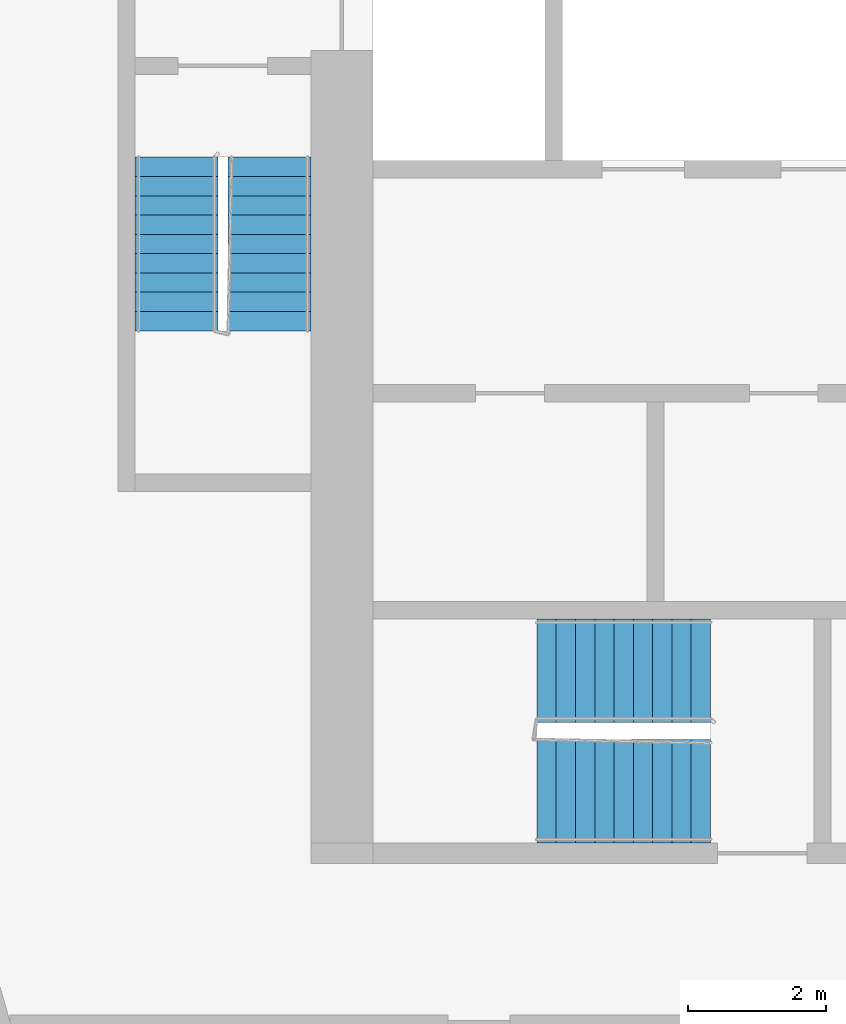
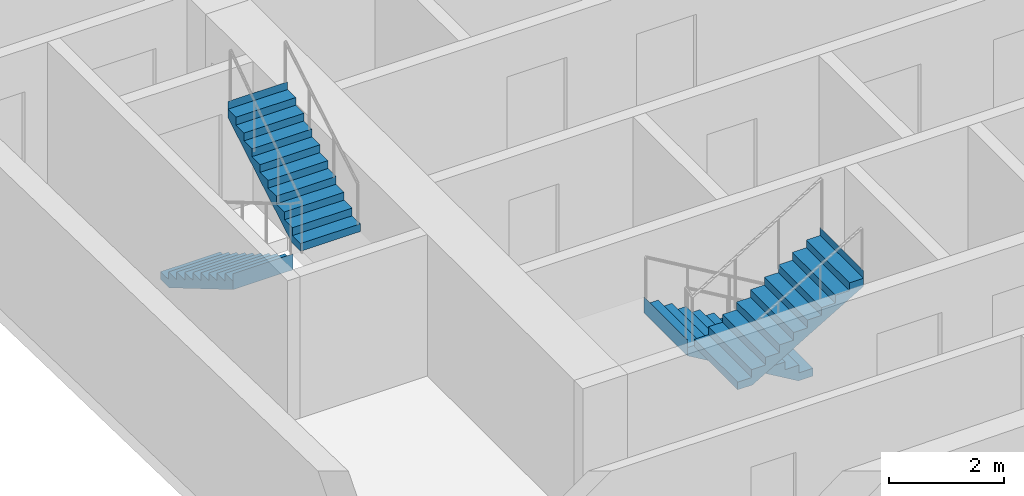
# One storey, part 8 of 11: 4 stair flights, 2 elements without a shape of their own.
"""IFC4 building model written with IfcOpenShell, lengths in metres."""

from ifc_helpers import new_model, si_unit, direction, frame, origin, place, context, subcontext, project, spatial, faceted_brep, material, type_object, element, aggregate, save


model = new_model("IFC4")

# Units and contexts
model_context = context("Model", 3, precision=1e-05, world=origin(), true_north=direction((0.0, 1.0)))
body_context = subcontext(model_context, "Body", "Model", "MODEL_VIEW")
ifc_project = project(units=[si_unit("LENGTHUNIT", "METRE"), si_unit("AREAUNIT", "SQUARE_METRE"), si_unit("VOLUMEUNIT", "CUBIC_METRE"), si_unit("PLANEANGLEUNIT", "RADIAN"), si_unit("MASSUNIT", "GRAM", prefix="KILO")], contexts=[model_context])

# Site, building, storey
site_placement = place(None, origin())
site = spatial("IfcSite", under=ifc_project, at=site_placement, CompositionType="ELEMENT")
building_placement = place(site_placement, origin())
building = spatial("IfcBuilding", under=site, at=building_placement, Name="Kajstack Hotel Tower", CompositionType="ELEMENT")
storey_placement = place(building_placement, frame((0.0, 0.0, 254.0)))
storey = spatial("IfcBuildingStorey", under=building, at=storey_placement, Name="L63", CompositionType="ELEMENT", Elevation=254.0)

# Stair, stair flights
ifc_material = material(Name="Concrete C40/50", Category="concrete")
stair_type_1 = type_object("IfcStairType", Name="Exit stair 1200", PredefinedType="HALF_TURN_STAIR", material=ifc_material)
stair_1_placement = place(storey_placement, origin())
stair_1 = element("IfcStair", 1, at=stair_1_placement, inside=storey, type_object=stair_type_1, Name="L63 stair W1", PredefinedType="HALF_TURN_STAIR")
stair_flight_type_1 = type_object("IfcStairFlightType", Name="Exit stair flight 1200", PredefinedType="STRAIGHT", material=ifc_material)
stair_flight_1_placement = place(storey_placement, frame((-33.449951171875, -5.25, 0.0), z_axis=(0.0, 0.0, 1.0), x_axis=(0.0, -1.0, 0.0)))
stair_flight_1 = element("IfcStairFlight", 2, at=stair_flight_1_placement, type_object=stair_flight_type_1, Name="W1 flight 1", NumberOfRisers=10, NumberOfTreads=9, PredefinedType="STRAIGHT", RiserHeight=0.165, TreadLength=0.28, context=body_context, shape_type="Brep", body=[
    faceted_brep([(0.295654296875, -0.60009765625, 0.0), (2.5205078125, -0.60009765625, 1.31103515625), (2.5205078125, -0.60009765625, 1.64990234375), (2.52001953125, -0.60009765625, 1.64990234375), (2.52001953125, -0.60009765625, 1.485107421875), (2.239990234375, -0.60009765625, 1.485107421875), (2.239990234375, -0.60009765625, 1.320068359375), (1.9599609375, -0.60009765625, 1.320068359375), (1.9599609375, -0.60009765625, 1.155029296875), (1.679931640625, -0.60009765625, 1.155029296875), (1.679931640625, -0.60009765625, 0.989990234375), (1.39990234375, -0.60009765625, 0.989990234375), (1.39990234375, -0.60009765625, 0.824951171875), (1.1201171875, -0.60009765625, 0.824951171875), (1.1201171875, -0.60009765625, 0.659912109375), (0.840087890625, -0.60009765625, 0.659912109375), (0.840087890625, -0.60009765625, 0.4951171875), (0.56005859375, -0.60009765625, 0.4951171875), (0.56005859375, -0.60009765625, 0.330078125), (0.280029296875, -0.60009765625, 0.330078125), (0.280029296875, -0.60009765625, 0.1650390625), (-0.00048828125, -0.60009765625, 0.1650390625), (-0.00048828125, -0.60009765625, 0.0), (-0.00048828125, 0.60009765625, 0.0), (-0.00048828125, 0.60009765625, 0.1650390625), (0.280029296875, 0.60009765625, 0.1650390625), (0.280029296875, 0.60009765625, 0.330078125), (0.56005859375, 0.60009765625, 0.330078125), (0.56005859375, 0.60009765625, 0.4951171875), (0.840087890625, 0.60009765625, 0.4951171875), (0.840087890625, 0.60009765625, 0.659912109375), (1.1201171875, 0.60009765625, 0.659912109375), (1.1201171875, 0.60009765625, 0.824951171875), (1.39990234375, 0.60009765625, 0.824951171875), (1.39990234375, 0.60009765625, 0.989990234375), (1.679931640625, 0.60009765625, 0.989990234375), (1.679931640625, 0.60009765625, 1.155029296875), (1.9599609375, 0.60009765625, 1.155029296875), (1.9599609375, 0.60009765625, 1.320068359375), (2.239990234375, 0.60009765625, 1.320068359375), (2.239990234375, 0.60009765625, 1.485107421875), (2.52001953125, 0.60009765625, 1.485107421875), (2.52001953125, 0.60009765625, 1.64990234375), (2.5205078125, 0.60009765625, 1.64990234375), (2.5205078125, 0.60009765625, 1.31103515625), (0.295654296875, 0.60009765625, 0.0), (-0.00048828125, -0.300048828125, 0.1650390625), (-0.00048828125, 0.0, 0.1650390625), (-0.00048828125, 0.300048828125, 0.1650390625), (-0.00048828125, 0.300048828125, 0.0), (-0.00048828125, 0.0, 0.0), (-0.00048828125, -0.300048828125, 0.0), (0.280029296875, -0.300048828125, 0.1650390625), (0.280029296875, 0.0, 0.1650390625), (0.280029296875, 0.300048828125, 0.1650390625), (0.280029296875, -0.300048828125, 0.330078125), (0.280029296875, 0.0, 0.330078125), (0.280029296875, 0.300048828125, 0.330078125), (0.56005859375, -0.300048828125, 0.330078125), (0.56005859375, 0.0, 0.330078125), (0.56005859375, 0.300048828125, 0.330078125), (0.56005859375, -0.300048828125, 0.4951171875), (0.56005859375, 0.0, 0.4951171875), (0.56005859375, 0.300048828125, 0.4951171875), (0.840087890625, -0.300048828125, 0.4951171875), (0.840087890625, 0.0, 0.4951171875), (0.840087890625, 0.300048828125, 0.4951171875), (0.840087890625, -0.300048828125, 0.659912109375), (0.840087890625, 0.0, 0.659912109375), (0.840087890625, 0.300048828125, 0.659912109375), (1.1201171875, -0.300048828125, 0.659912109375), (1.1201171875, 0.0, 0.659912109375), (1.1201171875, 0.300048828125, 0.659912109375), (1.1201171875, -0.300048828125, 0.824951171875), (1.1201171875, 0.0, 0.824951171875), (1.1201171875, 0.300048828125, 0.824951171875), (1.39990234375, -0.300048828125, 0.824951171875), (1.39990234375, 0.0, 0.824951171875), (1.39990234375, 0.300048828125, 0.824951171875), (1.39990234375, -0.300048828125, 0.989990234375), (1.39990234375, 0.0, 0.989990234375), (1.39990234375, 0.300048828125, 0.989990234375), (1.679931640625, -0.300048828125, 0.989990234375), (1.679931640625, 0.0, 0.989990234375), (1.679931640625, 0.300048828125, 0.989990234375), (1.679931640625, -0.300048828125, 1.155029296875), (1.679931640625, 0.0, 1.155029296875), (1.679931640625, 0.300048828125, 1.155029296875), (1.9599609375, -0.300048828125, 1.155029296875), (1.9599609375, 0.0, 1.155029296875), (1.9599609375, 0.300048828125, 1.155029296875), (1.9599609375, -0.300048828125, 1.320068359375), (1.9599609375, 0.0, 1.320068359375), (1.9599609375, 0.300048828125, 1.320068359375), (2.239990234375, -0.300048828125, 1.320068359375), (2.239990234375, 0.0, 1.320068359375), (2.239990234375, 0.300048828125, 1.320068359375), (2.239990234375, -0.300048828125, 1.485107421875), (2.239990234375, 0.0, 1.485107421875), (2.239990234375, 0.300048828125, 1.485107421875), (2.52001953125, -0.300048828125, 1.485107421875), (2.52001953125, 0.0, 1.485107421875), (2.52001953125, 0.300048828125, 1.485107421875), (2.52001953125, -0.300048828125, 1.64990234375), (2.52001953125, 0.0, 1.64990234375), (2.52001953125, 0.300048828125, 1.64990234375), (2.5205078125, -0.300048828125, 1.64990234375), (2.5205078125, 0.0, 1.64990234375), (2.5205078125, 0.300048828125, 1.64990234375), (2.5205078125, -0.300048828125, 1.31103515625), (2.5205078125, 0.0, 1.31103515625), (2.5205078125, 0.300048828125, 1.31103515625), (0.295654296875, -0.300048828125, 0.0), (0.295654296875, 0.0, 0.0), (0.295654296875, 0.300048828125, 0.0)], [[[0, 1, 2, 3, 4, 5, 6, 7, 8, 9, 10, 11, 12, 13, 14, 15, 16, 17, 18, 19, 20, 21, 22]], [[23, 24, 25, 26, 27, 28, 29, 30, 31, 32, 33, 34, 35, 36, 37, 38, 39, 40, 41, 42, 43, 44, 45]], [[21, 46, 47, 48, 24, 23, 49, 50, 51, 22]], [[20, 52, 53, 54, 25, 24, 48, 47, 46, 21]], [[19, 55, 56, 57, 26, 25, 54, 53, 52, 20]], [[18, 58, 59, 60, 27, 26, 57, 56, 55, 19]], [[17, 61, 62, 63, 28, 27, 60, 59, 58, 18]], [[16, 64, 65, 66, 29, 28, 63, 62, 61, 17]], [[15, 67, 68, 69, 30, 29, 66, 65, 64, 16]], [[14, 70, 71, 72, 31, 30, 69, 68, 67, 15]], [[13, 73, 74, 75, 32, 31, 72, 71, 70, 14]], [[12, 76, 77, 78, 33, 32, 75, 74, 73, 13]], [[11, 79, 80, 81, 34, 33, 78, 77, 76, 12]], [[10, 82, 83, 84, 35, 34, 81, 80, 79, 11]], [[9, 85, 86, 87, 36, 35, 84, 83, 82, 10]], [[8, 88, 89, 90, 37, 36, 87, 86, 85, 9]], [[7, 91, 92, 93, 38, 37, 90, 89, 88, 8]], [[6, 94, 95, 96, 39, 38, 93, 92, 91, 7]], [[5, 97, 98, 99, 40, 39, 96, 95, 94, 6]], [[4, 100, 101, 102, 41, 40, 99, 98, 97, 5]], [[3, 103, 104, 105, 42, 41, 102, 101, 100, 4]], [[2, 106, 107, 108, 43, 42, 105, 104, 103, 3]], [[1, 109, 110, 111, 44, 43, 108, 107, 106, 2]], [[0, 112, 113, 114, 45, 44, 111, 110, 109, 1]], [[22, 51, 50, 49, 23, 45, 114, 113, 112, 0]]]),
])
stair_flight_2_placement = place(storey_placement, frame((-32.10009765625, -7.77001953125, 1.64990234375), z_axis=(0.0, 0.0, 1.0), x_axis=(0.0, 1.0, 0.0)))
stair_flight_2 = element("IfcStairFlight", 3, at=stair_flight_2_placement, type_object=stair_flight_type_1, Name="W1 flight 2", NumberOfRisers=10, NumberOfTreads=9, PredefinedType="STRAIGHT", RiserHeight=0.165, TreadLength=0.28, context=body_context, shape_type="Brep", body=[
    faceted_brep([(0.295654296875, -0.60009765625, 0.0), (2.5205078125, -0.60009765625, 1.31103515625), (2.5205078125, -0.60009765625, 1.64990234375), (2.52001953125, -0.60009765625, 1.64990234375), (2.52001953125, -0.60009765625, 1.485107421875), (2.239990234375, -0.60009765625, 1.485107421875), (2.239990234375, -0.60009765625, 1.320068359375), (1.9599609375, -0.60009765625, 1.320068359375), (1.9599609375, -0.60009765625, 1.155029296875), (1.679931640625, -0.60009765625, 1.155029296875), (1.679931640625, -0.60009765625, 0.989990234375), (1.39990234375, -0.60009765625, 0.989990234375), (1.39990234375, -0.60009765625, 0.824951171875), (1.1201171875, -0.60009765625, 0.824951171875), (1.1201171875, -0.60009765625, 0.659912109375), (0.840087890625, -0.60009765625, 0.659912109375), (0.840087890625, -0.60009765625, 0.4951171875), (0.56005859375, -0.60009765625, 0.4951171875), (0.56005859375, -0.60009765625, 0.330078125), (0.280029296875, -0.60009765625, 0.330078125), (0.280029296875, -0.60009765625, 0.1650390625), (-0.00048828125, -0.60009765625, 0.1650390625), (-0.00048828125, -0.60009765625, 0.0), (-0.00048828125, 0.60009765625, 0.0), (-0.00048828125, 0.60009765625, 0.1650390625), (0.280029296875, 0.60009765625, 0.1650390625), (0.280029296875, 0.60009765625, 0.330078125), (0.56005859375, 0.60009765625, 0.330078125), (0.56005859375, 0.60009765625, 0.4951171875), (0.840087890625, 0.60009765625, 0.4951171875), (0.840087890625, 0.60009765625, 0.659912109375), (1.1201171875, 0.60009765625, 0.659912109375), (1.1201171875, 0.60009765625, 0.824951171875), (1.39990234375, 0.60009765625, 0.824951171875), (1.39990234375, 0.60009765625, 0.989990234375), (1.679931640625, 0.60009765625, 0.989990234375), (1.679931640625, 0.60009765625, 1.155029296875), (1.9599609375, 0.60009765625, 1.155029296875), (1.9599609375, 0.60009765625, 1.320068359375), (2.239990234375, 0.60009765625, 1.320068359375), (2.239990234375, 0.60009765625, 1.485107421875), (2.52001953125, 0.60009765625, 1.485107421875), (2.52001953125, 0.60009765625, 1.64990234375), (2.5205078125, 0.60009765625, 1.64990234375), (2.5205078125, 0.60009765625, 1.31103515625), (0.295654296875, 0.60009765625, 0.0), (-0.00048828125, -0.300048828125, 0.1650390625), (-0.00048828125, 0.0, 0.1650390625), (-0.00048828125, 0.300048828125, 0.1650390625), (-0.00048828125, 0.300048828125, 0.0), (-0.00048828125, 0.0, 0.0), (-0.00048828125, -0.300048828125, 0.0), (0.280029296875, -0.300048828125, 0.1650390625), (0.280029296875, 0.0, 0.1650390625), (0.280029296875, 0.300048828125, 0.1650390625), (0.280029296875, -0.300048828125, 0.330078125), (0.280029296875, 0.0, 0.330078125), (0.280029296875, 0.300048828125, 0.330078125), (0.56005859375, -0.300048828125, 0.330078125), (0.56005859375, 0.0, 0.330078125), (0.56005859375, 0.300048828125, 0.330078125), (0.56005859375, -0.300048828125, 0.4951171875), (0.56005859375, 0.0, 0.4951171875), (0.56005859375, 0.300048828125, 0.4951171875), (0.840087890625, -0.300048828125, 0.4951171875), (0.840087890625, 0.0, 0.4951171875), (0.840087890625, 0.300048828125, 0.4951171875), (0.840087890625, -0.300048828125, 0.659912109375), (0.840087890625, 0.0, 0.659912109375), (0.840087890625, 0.300048828125, 0.659912109375), (1.1201171875, -0.300048828125, 0.659912109375), (1.1201171875, 0.0, 0.659912109375), (1.1201171875, 0.300048828125, 0.659912109375), (1.1201171875, -0.300048828125, 0.824951171875), (1.1201171875, 0.0, 0.824951171875), (1.1201171875, 0.300048828125, 0.824951171875), (1.39990234375, -0.300048828125, 0.824951171875), (1.39990234375, 0.0, 0.824951171875), (1.39990234375, 0.300048828125, 0.824951171875), (1.39990234375, -0.300048828125, 0.989990234375), (1.39990234375, 0.0, 0.989990234375), (1.39990234375, 0.300048828125, 0.989990234375), (1.679931640625, -0.300048828125, 0.989990234375), (1.679931640625, 0.0, 0.989990234375), (1.679931640625, 0.300048828125, 0.989990234375), (1.679931640625, -0.300048828125, 1.155029296875), (1.679931640625, 0.0, 1.155029296875), (1.679931640625, 0.300048828125, 1.155029296875), (1.9599609375, -0.300048828125, 1.155029296875), (1.9599609375, 0.0, 1.155029296875), (1.9599609375, 0.300048828125, 1.155029296875), (1.9599609375, -0.300048828125, 1.320068359375), (1.9599609375, 0.0, 1.320068359375), (1.9599609375, 0.300048828125, 1.320068359375), (2.239990234375, -0.300048828125, 1.320068359375), (2.239990234375, 0.0, 1.320068359375), (2.239990234375, 0.300048828125, 1.320068359375), (2.239990234375, -0.300048828125, 1.485107421875), (2.239990234375, 0.0, 1.485107421875), (2.239990234375, 0.300048828125, 1.485107421875), (2.52001953125, -0.300048828125, 1.485107421875), (2.52001953125, 0.0, 1.485107421875), (2.52001953125, 0.300048828125, 1.485107421875), (2.52001953125, -0.300048828125, 1.64990234375), (2.52001953125, 0.0, 1.64990234375), (2.52001953125, 0.300048828125, 1.64990234375), (2.5205078125, -0.300048828125, 1.64990234375), (2.5205078125, 0.0, 1.64990234375), (2.5205078125, 0.300048828125, 1.64990234375), (2.5205078125, -0.300048828125, 1.31103515625), (2.5205078125, 0.0, 1.31103515625), (2.5205078125, 0.300048828125, 1.31103515625), (0.295654296875, -0.300048828125, 0.0), (0.295654296875, 0.0, 0.0), (0.295654296875, 0.300048828125, 0.0)], [[[0, 1, 2, 3, 4, 5, 6, 7, 8, 9, 10, 11, 12, 13, 14, 15, 16, 17, 18, 19, 20, 21, 22]], [[23, 24, 25, 26, 27, 28, 29, 30, 31, 32, 33, 34, 35, 36, 37, 38, 39, 40, 41, 42, 43, 44, 45]], [[21, 46, 47, 48, 24, 23, 49, 50, 51, 22]], [[20, 52, 53, 54, 25, 24, 48, 47, 46, 21]], [[19, 55, 56, 57, 26, 25, 54, 53, 52, 20]], [[18, 58, 59, 60, 27, 26, 57, 56, 55, 19]], [[17, 61, 62, 63, 28, 27, 60, 59, 58, 18]], [[16, 64, 65, 66, 29, 28, 63, 62, 61, 17]], [[15, 67, 68, 69, 30, 29, 66, 65, 64, 16]], [[14, 70, 71, 72, 31, 30, 69, 68, 67, 15]], [[13, 73, 74, 75, 32, 31, 72, 71, 70, 14]], [[12, 76, 77, 78, 33, 32, 75, 74, 73, 13]], [[11, 79, 80, 81, 34, 33, 78, 77, 76, 12]], [[10, 82, 83, 84, 35, 34, 81, 80, 79, 11]], [[9, 85, 86, 87, 36, 35, 84, 83, 82, 10]], [[8, 88, 89, 90, 37, 36, 87, 86, 85, 9]], [[7, 91, 92, 93, 38, 37, 90, 89, 88, 8]], [[6, 94, 95, 96, 39, 38, 93, 92, 91, 7]], [[5, 97, 98, 99, 40, 39, 96, 95, 94, 6]], [[4, 100, 101, 102, 41, 40, 99, 98, 97, 5]], [[3, 103, 104, 105, 42, 41, 102, 101, 100, 4]], [[2, 106, 107, 108, 43, 42, 105, 104, 103, 3]], [[1, 109, 110, 111, 44, 43, 108, 107, 106, 2]], [[0, 112, 113, 114, 45, 44, 111, 110, 109, 1]], [[22, 51, 50, 49, 23, 45, 114, 113, 112, 0]]]),
])
aggregate(stair_1, [stair_flight_1, stair_flight_2])

stair_type_2 = type_object("IfcStairType", Name="Exit stair 1500", PredefinedType="HALF_TURN_STAIR", material=ifc_material)
stair_2_placement = place(storey_placement, origin())
stair_2 = element("IfcStair", 4, at=stair_2_placement, inside=storey, type_object=stair_type_2, Name="L63 stair W3", PredefinedType="HALF_TURN_STAIR")
stair_flight_type_2 = type_object("IfcStairFlightType", Name="Exit stair flight 1500", PredefinedType="STRAIGHT", material=ifc_material)
stair_flight_3_placement = place(storey_placement, frame((-25.699951171875, -12.699951171875, 0.0), z_axis=(0.0, 0.0, 1.0), x_axis=(-1.0, 0.0, 0.0)))
stair_flight_3 = element("IfcStairFlight", 5, at=stair_flight_3_placement, type_object=stair_flight_type_2, Name="W3 flight 1", NumberOfRisers=10, NumberOfTreads=9, PredefinedType="STRAIGHT", RiserHeight=0.165, TreadLength=0.28, context=body_context, shape_type="Brep", body=[
    faceted_brep([(0.295654296875, -0.75, 0.0), (2.5205078125, -0.75, 1.31103515625), (2.5205078125, -0.75, 1.64990234375), (2.52001953125, -0.75, 1.64990234375), (2.52001953125, -0.75, 1.485107421875), (2.239990234375, -0.75, 1.485107421875), (2.239990234375, -0.75, 1.320068359375), (1.9599609375, -0.75, 1.320068359375), (1.9599609375, -0.75, 1.155029296875), (1.679931640625, -0.75, 1.155029296875), (1.679931640625, -0.75, 0.989990234375), (1.39990234375, -0.75, 0.989990234375), (1.39990234375, -0.75, 0.824951171875), (1.1201171875, -0.75, 0.824951171875), (1.1201171875, -0.75, 0.659912109375), (0.840087890625, -0.75, 0.659912109375), (0.840087890625, -0.75, 0.4951171875), (0.56005859375, -0.75, 0.4951171875), (0.56005859375, -0.75, 0.330078125), (0.280029296875, -0.75, 0.330078125), (0.280029296875, -0.75, 0.1650390625), (-0.00048828125, -0.75, 0.1650390625), (-0.00048828125, -0.75, 0.0), (-0.00048828125, 0.75, 0.0), (-0.00048828125, 0.75, 0.1650390625), (0.280029296875, 0.75, 0.1650390625), (0.280029296875, 0.75, 0.330078125), (0.56005859375, 0.75, 0.330078125), (0.56005859375, 0.75, 0.4951171875), (0.840087890625, 0.75, 0.4951171875), (0.840087890625, 0.75, 0.659912109375), (1.1201171875, 0.75, 0.659912109375), (1.1201171875, 0.75, 0.824951171875), (1.39990234375, 0.75, 0.824951171875), (1.39990234375, 0.75, 0.989990234375), (1.679931640625, 0.75, 0.989990234375), (1.679931640625, 0.75, 1.155029296875), (1.9599609375, 0.75, 1.155029296875), (1.9599609375, 0.75, 1.320068359375), (2.239990234375, 0.75, 1.320068359375), (2.239990234375, 0.75, 1.485107421875), (2.52001953125, 0.75, 1.485107421875), (2.52001953125, 0.75, 1.64990234375), (2.5205078125, 0.75, 1.64990234375), (2.5205078125, 0.75, 1.31103515625), (0.295654296875, 0.75, 0.0), (-0.00048828125, -0.375, 0.1650390625), (-0.00048828125, 0.0, 0.1650390625), (-0.00048828125, 0.375, 0.1650390625), (-0.00048828125, 0.375, 0.0), (-0.00048828125, 0.0, 0.0), (-0.00048828125, -0.375, 0.0), (0.280029296875, -0.375, 0.1650390625), (0.280029296875, 0.0, 0.1650390625), (0.280029296875, 0.375, 0.1650390625), (0.280029296875, -0.375, 0.330078125), (0.280029296875, 0.0, 0.330078125), (0.280029296875, 0.375, 0.330078125), (0.56005859375, -0.375, 0.330078125), (0.56005859375, 0.0, 0.330078125), (0.56005859375, 0.375, 0.330078125), (0.56005859375, -0.375, 0.4951171875), (0.56005859375, 0.0, 0.4951171875), (0.56005859375, 0.375, 0.4951171875), (0.840087890625, -0.375, 0.4951171875), (0.840087890625, 0.0, 0.4951171875), (0.840087890625, 0.375, 0.4951171875), (0.840087890625, -0.375, 0.659912109375), (0.840087890625, 0.0, 0.659912109375), (0.840087890625, 0.375, 0.659912109375), (1.1201171875, -0.375, 0.659912109375), (1.1201171875, 0.0, 0.659912109375), (1.1201171875, 0.375, 0.659912109375), (1.1201171875, -0.375, 0.824951171875), (1.1201171875, 0.0, 0.824951171875), (1.1201171875, 0.375, 0.824951171875), (1.39990234375, -0.375, 0.824951171875), (1.39990234375, 0.0, 0.824951171875), (1.39990234375, 0.375, 0.824951171875), (1.39990234375, -0.375, 0.989990234375), (1.39990234375, 0.0, 0.989990234375), (1.39990234375, 0.375, 0.989990234375), (1.679931640625, -0.375, 0.989990234375), (1.679931640625, 0.0, 0.989990234375), (1.679931640625, 0.375, 0.989990234375), (1.679931640625, -0.375, 1.155029296875), (1.679931640625, 0.0, 1.155029296875), (1.679931640625, 0.375, 1.155029296875), (1.9599609375, -0.375, 1.155029296875), (1.9599609375, 0.0, 1.155029296875), (1.9599609375, 0.375, 1.155029296875), (1.9599609375, -0.375, 1.320068359375), (1.9599609375, 0.0, 1.320068359375), (1.9599609375, 0.375, 1.320068359375), (2.239990234375, -0.375, 1.320068359375), (2.239990234375, 0.0, 1.320068359375), (2.239990234375, 0.375, 1.320068359375), (2.239990234375, -0.375, 1.485107421875), (2.239990234375, 0.0, 1.485107421875), (2.239990234375, 0.375, 1.485107421875), (2.52001953125, -0.375, 1.485107421875), (2.52001953125, 0.0, 1.485107421875), (2.52001953125, 0.375, 1.485107421875), (2.52001953125, -0.375, 1.64990234375), (2.52001953125, 0.0, 1.64990234375), (2.52001953125, 0.375, 1.64990234375), (2.5205078125, -0.375, 1.64990234375), (2.5205078125, 0.0, 1.64990234375), (2.5205078125, 0.375, 1.64990234375), (2.5205078125, -0.375, 1.31103515625), (2.5205078125, 0.0, 1.31103515625), (2.5205078125, 0.375, 1.31103515625), (0.295654296875, -0.375, 0.0), (0.295654296875, 0.0, 0.0), (0.295654296875, 0.375, 0.0)], [[[0, 1, 2, 3, 4, 5, 6, 7, 8, 9, 10, 11, 12, 13, 14, 15, 16, 17, 18, 19, 20, 21, 22]], [[23, 24, 25, 26, 27, 28, 29, 30, 31, 32, 33, 34, 35, 36, 37, 38, 39, 40, 41, 42, 43, 44, 45]], [[21, 46, 47, 48, 24, 23, 49, 50, 51, 22]], [[20, 52, 53, 54, 25, 24, 48, 47, 46, 21]], [[19, 55, 56, 57, 26, 25, 54, 53, 52, 20]], [[18, 58, 59, 60, 27, 26, 57, 56, 55, 19]], [[17, 61, 62, 63, 28, 27, 60, 59, 58, 18]], [[16, 64, 65, 66, 29, 28, 63, 62, 61, 17]], [[15, 67, 68, 69, 30, 29, 66, 65, 64, 16]], [[14, 70, 71, 72, 31, 30, 69, 68, 67, 15]], [[13, 73, 74, 75, 32, 31, 72, 71, 70, 14]], [[12, 76, 77, 78, 33, 32, 75, 74, 73, 13]], [[11, 79, 80, 81, 34, 33, 78, 77, 76, 12]], [[10, 82, 83, 84, 35, 34, 81, 80, 79, 11]], [[9, 85, 86, 87, 36, 35, 84, 83, 82, 10]], [[8, 88, 89, 90, 37, 36, 87, 86, 85, 9]], [[7, 91, 92, 93, 38, 37, 90, 89, 88, 8]], [[6, 94, 95, 96, 39, 38, 93, 92, 91, 7]], [[5, 97, 98, 99, 40, 39, 96, 95, 94, 6]], [[4, 100, 101, 102, 41, 40, 99, 98, 97, 5]], [[3, 103, 104, 105, 42, 41, 102, 101, 100, 4]], [[2, 106, 107, 108, 43, 42, 105, 104, 103, 3]], [[1, 109, 110, 111, 44, 43, 108, 107, 106, 2]], [[0, 112, 113, 114, 45, 44, 111, 110, 109, 1]], [[22, 51, 50, 49, 23, 45, 114, 113, 112, 0]]]),
])
stair_flight_4_placement = place(storey_placement, frame((-28.219970703125, -14.449951171875, 1.64990234375), z_axis=(0.0, 0.0, 1.0), x_axis=(1.0, 0.0, 0.0)))
stair_flight_4 = element("IfcStairFlight", 6, at=stair_flight_4_placement, type_object=stair_flight_type_2, Name="W3 flight 2", NumberOfRisers=10, NumberOfTreads=9, PredefinedType="STRAIGHT", RiserHeight=0.165, TreadLength=0.28, context=body_context, shape_type="Brep", body=[
    faceted_brep([(0.295654296875, -0.75, 0.0), (2.5205078125, -0.75, 1.31103515625), (2.5205078125, -0.75, 1.64990234375), (2.52001953125, -0.75, 1.64990234375), (2.52001953125, -0.75, 1.485107421875), (2.239990234375, -0.75, 1.485107421875), (2.239990234375, -0.75, 1.320068359375), (1.9599609375, -0.75, 1.320068359375), (1.9599609375, -0.75, 1.155029296875), (1.679931640625, -0.75, 1.155029296875), (1.679931640625, -0.75, 0.989990234375), (1.39990234375, -0.75, 0.989990234375), (1.39990234375, -0.75, 0.824951171875), (1.1201171875, -0.75, 0.824951171875), (1.1201171875, -0.75, 0.659912109375), (0.840087890625, -0.75, 0.659912109375), (0.840087890625, -0.75, 0.4951171875), (0.56005859375, -0.75, 0.4951171875), (0.56005859375, -0.75, 0.330078125), (0.280029296875, -0.75, 0.330078125), (0.280029296875, -0.75, 0.1650390625), (-0.00048828125, -0.75, 0.1650390625), (-0.00048828125, -0.75, 0.0), (-0.00048828125, 0.75, 0.0), (-0.00048828125, 0.75, 0.1650390625), (0.280029296875, 0.75, 0.1650390625), (0.280029296875, 0.75, 0.330078125), (0.56005859375, 0.75, 0.330078125), (0.56005859375, 0.75, 0.4951171875), (0.840087890625, 0.75, 0.4951171875), (0.840087890625, 0.75, 0.659912109375), (1.1201171875, 0.75, 0.659912109375), (1.1201171875, 0.75, 0.824951171875), (1.39990234375, 0.75, 0.824951171875), (1.39990234375, 0.75, 0.989990234375), (1.679931640625, 0.75, 0.989990234375), (1.679931640625, 0.75, 1.155029296875), (1.9599609375, 0.75, 1.155029296875), (1.9599609375, 0.75, 1.320068359375), (2.239990234375, 0.75, 1.320068359375), (2.239990234375, 0.75, 1.485107421875), (2.52001953125, 0.75, 1.485107421875), (2.52001953125, 0.75, 1.64990234375), (2.5205078125, 0.75, 1.64990234375), (2.5205078125, 0.75, 1.31103515625), (0.295654296875, 0.75, 0.0), (-0.00048828125, -0.375, 0.1650390625), (-0.00048828125, 0.0, 0.1650390625), (-0.00048828125, 0.375, 0.1650390625), (-0.00048828125, 0.375, 0.0), (-0.00048828125, 0.0, 0.0), (-0.00048828125, -0.375, 0.0), (0.280029296875, -0.375, 0.1650390625), (0.280029296875, 0.0, 0.1650390625), (0.280029296875, 0.375, 0.1650390625), (0.280029296875, -0.375, 0.330078125), (0.280029296875, 0.0, 0.330078125), (0.280029296875, 0.375, 0.330078125), (0.56005859375, -0.375, 0.330078125), (0.56005859375, 0.0, 0.330078125), (0.56005859375, 0.375, 0.330078125), (0.56005859375, -0.375, 0.4951171875), (0.56005859375, 0.0, 0.4951171875), (0.56005859375, 0.375, 0.4951171875), (0.840087890625, -0.375, 0.4951171875), (0.840087890625, 0.0, 0.4951171875), (0.840087890625, 0.375, 0.4951171875), (0.840087890625, -0.375, 0.659912109375), (0.840087890625, 0.0, 0.659912109375), (0.840087890625, 0.375, 0.659912109375), (1.1201171875, -0.375, 0.659912109375), (1.1201171875, 0.0, 0.659912109375), (1.1201171875, 0.375, 0.659912109375), (1.1201171875, -0.375, 0.824951171875), (1.1201171875, 0.0, 0.824951171875), (1.1201171875, 0.375, 0.824951171875), (1.39990234375, -0.375, 0.824951171875), (1.39990234375, 0.0, 0.824951171875), (1.39990234375, 0.375, 0.824951171875), (1.39990234375, -0.375, 0.989990234375), (1.39990234375, 0.0, 0.989990234375), (1.39990234375, 0.375, 0.989990234375), (1.679931640625, -0.375, 0.989990234375), (1.679931640625, 0.0, 0.989990234375), (1.679931640625, 0.375, 0.989990234375), (1.679931640625, -0.375, 1.155029296875), (1.679931640625, 0.0, 1.155029296875), (1.679931640625, 0.375, 1.155029296875), (1.9599609375, -0.375, 1.155029296875), (1.9599609375, 0.0, 1.155029296875), (1.9599609375, 0.375, 1.155029296875), (1.9599609375, -0.375, 1.320068359375), (1.9599609375, 0.0, 1.320068359375), (1.9599609375, 0.375, 1.320068359375), (2.239990234375, -0.375, 1.320068359375), (2.239990234375, 0.0, 1.320068359375), (2.239990234375, 0.375, 1.320068359375), (2.239990234375, -0.375, 1.485107421875), (2.239990234375, 0.0, 1.485107421875), (2.239990234375, 0.375, 1.485107421875), (2.52001953125, -0.375, 1.485107421875), (2.52001953125, 0.0, 1.485107421875), (2.52001953125, 0.375, 1.485107421875), (2.52001953125, -0.375, 1.64990234375), (2.52001953125, 0.0, 1.64990234375), (2.52001953125, 0.375, 1.64990234375), (2.5205078125, -0.375, 1.64990234375), (2.5205078125, 0.0, 1.64990234375), (2.5205078125, 0.375, 1.64990234375), (2.5205078125, -0.375, 1.31103515625), (2.5205078125, 0.0, 1.31103515625), (2.5205078125, 0.375, 1.31103515625), (0.295654296875, -0.375, 0.0), (0.295654296875, 0.0, 0.0), (0.295654296875, 0.375, 0.0)], [[[0, 1, 2, 3, 4, 5, 6, 7, 8, 9, 10, 11, 12, 13, 14, 15, 16, 17, 18, 19, 20, 21, 22]], [[23, 24, 25, 26, 27, 28, 29, 30, 31, 32, 33, 34, 35, 36, 37, 38, 39, 40, 41, 42, 43, 44, 45]], [[21, 46, 47, 48, 24, 23, 49, 50, 51, 22]], [[20, 52, 53, 54, 25, 24, 48, 47, 46, 21]], [[19, 55, 56, 57, 26, 25, 54, 53, 52, 20]], [[18, 58, 59, 60, 27, 26, 57, 56, 55, 19]], [[17, 61, 62, 63, 28, 27, 60, 59, 58, 18]], [[16, 64, 65, 66, 29, 28, 63, 62, 61, 17]], [[15, 67, 68, 69, 30, 29, 66, 65, 64, 16]], [[14, 70, 71, 72, 31, 30, 69, 68, 67, 15]], [[13, 73, 74, 75, 32, 31, 72, 71, 70, 14]], [[12, 76, 77, 78, 33, 32, 75, 74, 73, 13]], [[11, 79, 80, 81, 34, 33, 78, 77, 76, 12]], [[10, 82, 83, 84, 35, 34, 81, 80, 79, 11]], [[9, 85, 86, 87, 36, 35, 84, 83, 82, 10]], [[8, 88, 89, 90, 37, 36, 87, 86, 85, 9]], [[7, 91, 92, 93, 38, 37, 90, 89, 88, 8]], [[6, 94, 95, 96, 39, 38, 93, 92, 91, 7]], [[5, 97, 98, 99, 40, 39, 96, 95, 94, 6]], [[4, 100, 101, 102, 41, 40, 99, 98, 97, 5]], [[3, 103, 104, 105, 42, 41, 102, 101, 100, 4]], [[2, 106, 107, 108, 43, 42, 105, 104, 103, 3]], [[1, 109, 110, 111, 44, 43, 108, 107, 106, 2]], [[0, 112, 113, 114, 45, 44, 111, 110, 109, 1]], [[22, 51, 50, 49, 23, 45, 114, 113, 112, 0]]]),
])
aggregate(stair_2, [stair_flight_3, stair_flight_4])

save(model, "model.ifc")
